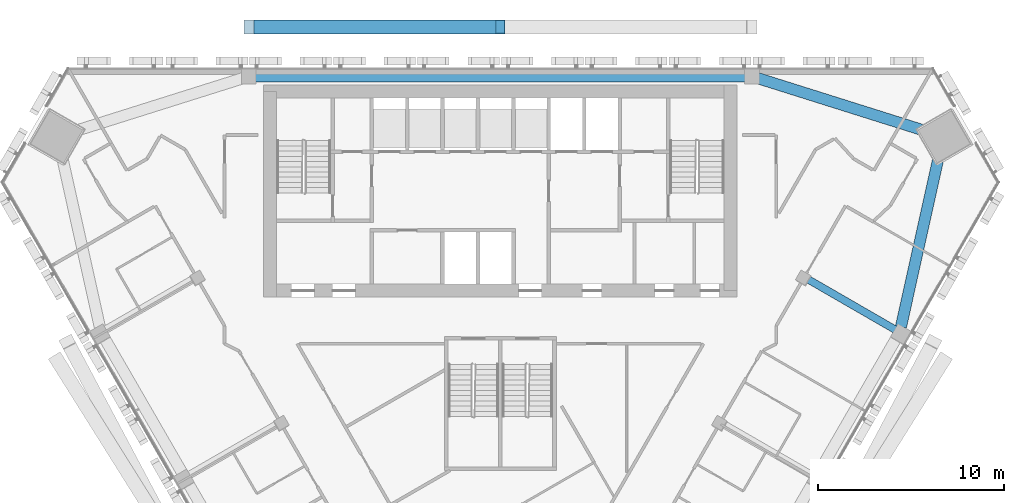
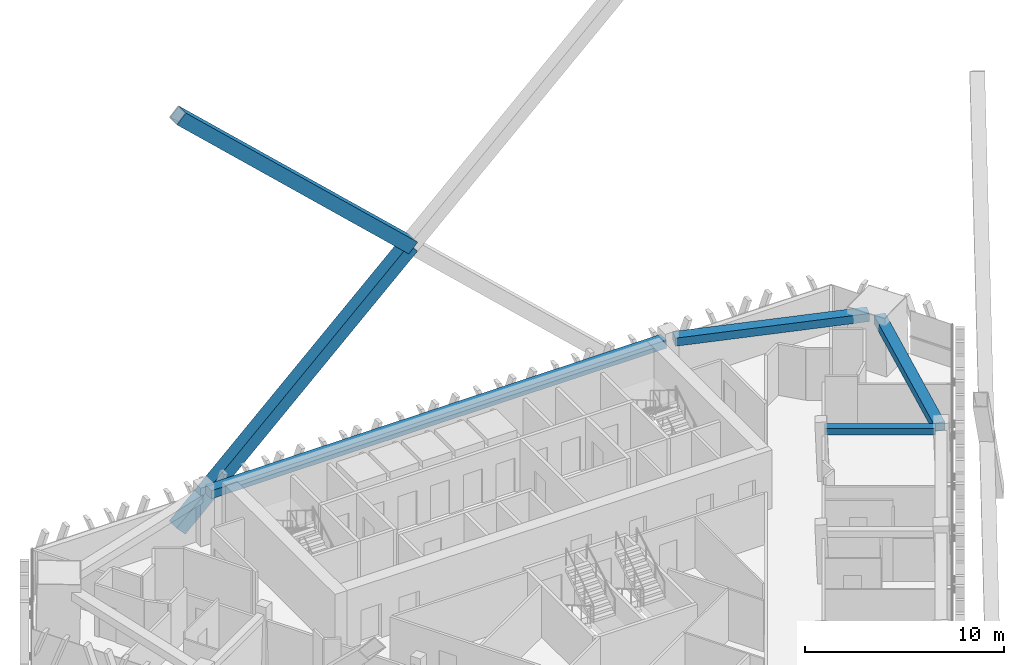
# One storey, part 8 of 18: 4 beams, 2 members.
"""IFC4 building model written with IfcOpenShell, lengths in metres."""

from ifc_helpers import new_model, si_unit, direction, frame, origin, origin_2d, place, context, subcontext, project, spatial, rectangle, hollow_rectangle, extrude, material, material_profile, profile_set, type_object, element, save


model = new_model("IFC4")

# Units and contexts
model_context = context("Model", 3, precision=1e-05, world=origin(), true_north=direction((0.0, 1.0)))
body_context = subcontext(model_context, "Body", "Model", "MODEL_VIEW")
ifc_project = project(units=[si_unit("LENGTHUNIT", "METRE"), si_unit("AREAUNIT", "SQUARE_METRE"), si_unit("VOLUMEUNIT", "CUBIC_METRE"), si_unit("PLANEANGLEUNIT", "RADIAN"), si_unit("MASSUNIT", "GRAM", prefix="KILO")], contexts=[model_context])

# Site, building, storey
site_placement = place(None, origin())
site = spatial("IfcSite", under=ifc_project, at=site_placement, CompositionType="ELEMENT")
building_placement = place(site_placement, origin())
building = spatial("IfcBuilding", under=site, at=building_placement, Name="Altiplano Prism Tower", CompositionType="ELEMENT")
storey_placement = place(building_placement, frame((0.0, 0.0, 163.800048828125)))
storey = spatial("IfcBuildingStorey", under=building, at=storey_placement, Name="L42", CompositionType="ELEMENT", Elevation=163.800048828125)

# Beams
ifc_material_1 = material(Name="Concrete C60/75", Category="concrete")
ifc_material_profile_1 = material_profile(ifc_material_1, rectangle(XDim=0.60009765625, YDim=0.5, at=origin_2d()), Name="Edge beam 600x500")
ifc_profile_set_1 = profile_set([ifc_material_profile_1], Name="Concrete C60/75")
beam_type_1 = type_object("IfcBeamType", Name="Edge beam 600x500", PredefinedType="SPANDREL", material=ifc_profile_set_1)
beam_1_placement = place(storey_placement, frame((106.4921875, 91.11181640625, 2.89990234375), z_axis=(0.216824540755, 0.976210591279, 0.0), x_axis=(-0.976210591279, 0.216824540755, 0.0)))
element("IfcBeam", 1, at=beam_1_placement, inside=storey, type_object=beam_type_1, Name="Edge beam P24-M2 L43", PredefinedType="SPANDREL", context=body_context, shape_type="SweptSolid", body=[
    extrude(rectangle(XDim=0.60009765625, YDim=0.5, at=origin_2d()), origin(), (0.0, 0.0, 1.0), 10.006591796875),
])
beam_2_placement = place(storey_placement, frame((108.330078125, 101.454833984375, 2.89990234375), z_axis=(-0.953830872127, 0.300344248117, 0.0), x_axis=(-0.300344248117, -0.953830872127, 0.0)))
element("IfcBeam", 2, at=beam_2_placement, inside=storey, type_object=beam_type_1, Name="Edge beam M2-P01 L43", PredefinedType="SPANDREL", context=body_context, shape_type="SweptSolid", body=[
    extrude(rectangle(XDim=0.60009765625, YDim=0.5, at=origin_2d()), origin(), (0.0, 0.0, 1.0), 10.00634765625),
])
beam_3_placement = place(storey_placement, frame((98.219970703125, 104.550048828125, 2.89990234375), z_axis=(-1.0, 0.0, 0.0), x_axis=(0.0, -1.0, 0.0)))
element("IfcBeam", 3, at=beam_3_placement, inside=storey, type_object=beam_type_1, Name="Edge beam P01-P04 L43", PredefinedType="SPANDREL", context=body_context, shape_type="SweptSolid", body=[
    extrude(rectangle(XDim=0.60009765625, YDim=0.5, at=origin_2d()), origin(), (0.0, 0.0, 1.0), 26.43994140625),
])

# Members
ifc_material_2 = material(Name="Steel S355", Category="steel")
ifc_material_profile_2 = material_profile(ifc_material_2, hollow_rectangle(XDim=0.75, YDim=0.75, WallThickness=0.0400390625, at=origin_2d()), Name="Mega brace Box 750x750x40")
ifc_profile_set_2 = profile_set([ifc_material_profile_2], Name="Steel S355")
member_type = type_object("IfcMemberType", Name="Mega brace Box 750x750x40", PredefinedType="BRACE", material=ifc_profile_set_2)
member_1_placement = place(storey_placement, frame((85.0, 107.199951171875, 11.875), z_axis=(-0.729038854961, 0.0, 0.684472313507), x_axis=(0.0, -1.0, 0.0)))
element("IfcMember", 4, at=member_1_placement, inside=storey, type_object=member_type, Name="Mega brace 4.0.2", PredefinedType="BRACE", context=body_context, shape_type="SweptSolid", body=[
    extrude(hollow_rectangle(XDim=0.75, YDim=0.75, WallThickness=0.0400390625, at=origin_2d()), origin(), (0.0, 0.0, 1.0), 18.477783203125),
])
member_2_placement = place(storey_placement, frame((71.5, 107.199951171875, -0.800048828125), z_axis=(0.729030469769, 0.0, 0.684481244556), x_axis=(0.0, 1.0, 0.0)))
element("IfcMember", 5, at=member_2_placement, inside=storey, type_object=member_type, Name="Mega brace 4.0.3", PredefinedType="BRACE", context=body_context, shape_type="SweptSolid", body=[
    extrude(hollow_rectangle(XDim=0.75, YDim=0.75, WallThickness=0.0400390625, at=origin_2d()), origin(), (0.0, 0.0, 1.0), 18.517822265625),
])

# Beam
ifc_material_profile_3 = material_profile(ifc_material_1, rectangle(XDim=0.39990234375, YDim=0.39990234375, at=origin_2d()), Name="Tie beam 400x400")
ifc_profile_set_3 = profile_set([ifc_material_profile_3], Name="Concrete C60/75")
beam_type_2 = type_object("IfcBeamType", Name="Tie beam 400x400", PredefinedType="BEAM", material=ifc_profile_set_3)
beam_4_placement = place(storey_placement, frame((101.34375, 93.754638671875, 2.949951171875), z_axis=(0.866030670444, -0.499990877767, 0.0), x_axis=(0.499990877767, 0.866030670444, 0.0)))
element("IfcBeam", 6, at=beam_4_placement, inside=storey, type_object=beam_type_2, Name="Tie beam I24 L43", PredefinedType="BEAM", context=body_context, shape_type="SweptSolid", body=[
    extrude(rectangle(XDim=0.39990234375, YDim=0.39990234375, at=origin_2d()), origin(), (0.0, 0.0, 1.0), 5.58984375),
])

save(model, "model.ifc")
